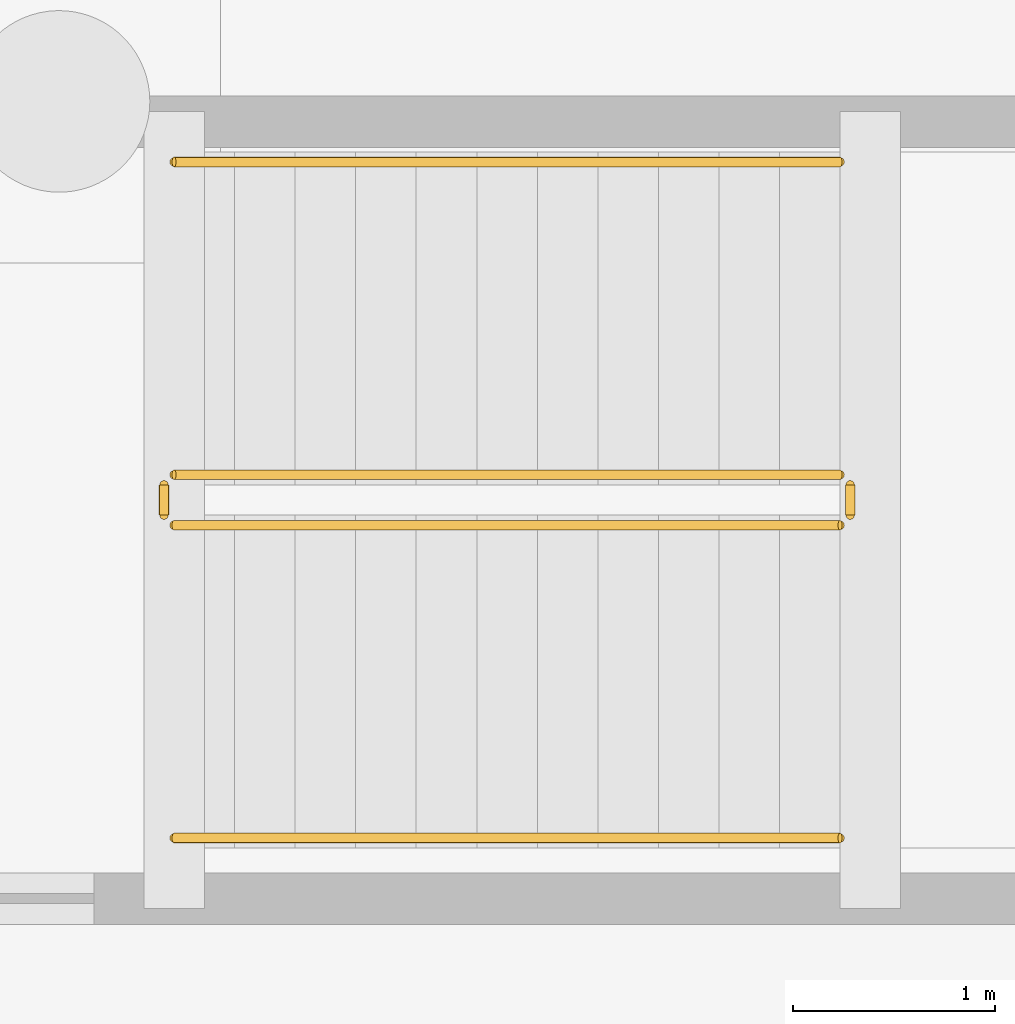
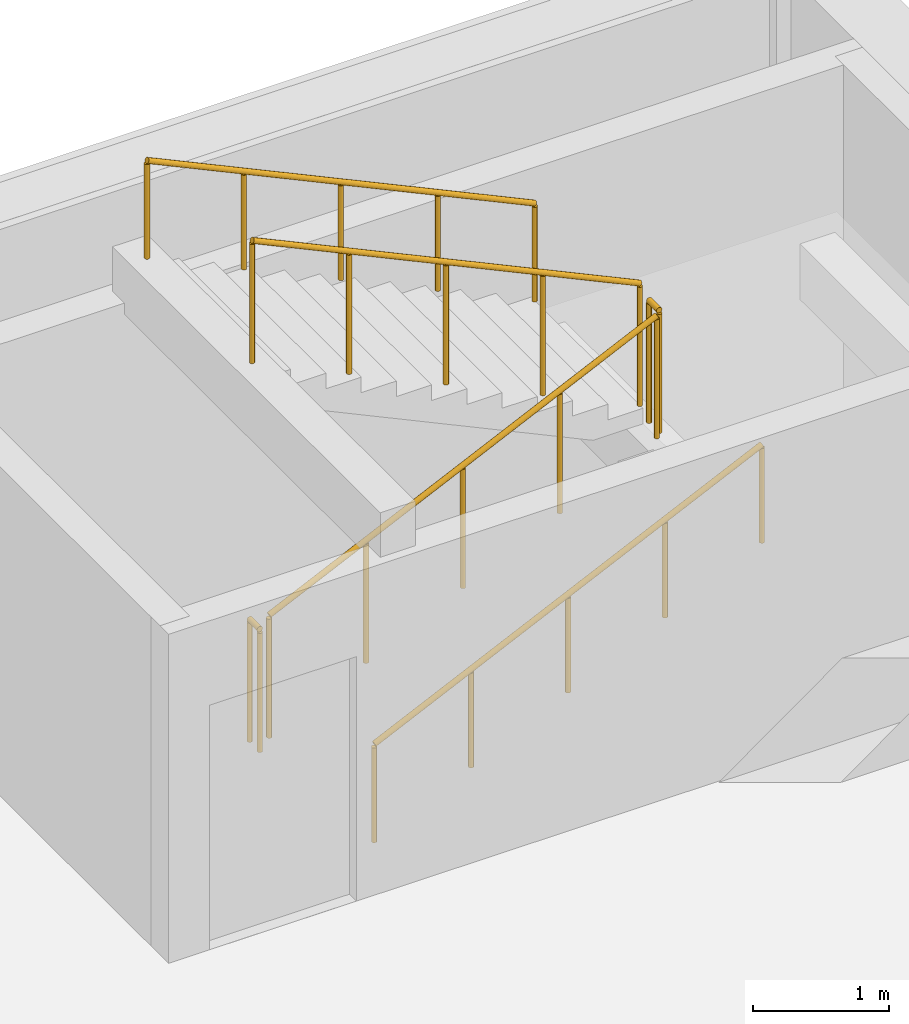
# One storey, part 69 of 70: 6 railings.
"""IFC4 building model written with IfcOpenShell, lengths in metres."""

from ifc_helpers import new_model, si_unit, direction, frame, origin, origin_2d, place, context, subcontext, project, spatial, circle, extrude, material, type_object, element, save


model = new_model("IFC4")

# Units and contexts
model_context = context("Model", 3, precision=1e-05, world=origin(), true_north=direction((0.0, 1.0)))
body_context = subcontext(model_context, "Body", "Model", "MODEL_VIEW")
ifc_project = project(units=[si_unit("LENGTHUNIT", "METRE"), si_unit("AREAUNIT", "SQUARE_METRE"), si_unit("VOLUMEUNIT", "CUBIC_METRE"), si_unit("PLANEANGLEUNIT", "RADIAN"), si_unit("MASSUNIT", "GRAM", prefix="KILO")], contexts=[model_context])

# Site, building, storey
site_placement = place(None, origin())
site = spatial("IfcSite", under=ifc_project, at=site_placement, CompositionType="ELEMENT")
building_placement = place(site_placement, origin())
building = spatial("IfcBuilding", under=site, at=building_placement, Name="Cumbredor Promenade Congress Hotel", CompositionType="ELEMENT")
storey_placement = place(building_placement, frame((0.0, 0.0, -7.56005859375)))
storey = spatial("IfcBuildingStorey", under=building, at=storey_placement, Name="B02", CompositionType="ELEMENT", Elevation=-7.56005859375)

# Railings
ifc_material = material(Name="Brushed stainless steel", Category="steel")
railing_type_1 = type_object("IfcRailingType", Name="Interior Void & Stair Guardrail GR-1100", PredefinedType="GUARDRAIL", material=ifc_material)
railing_1_placement = place(storey_placement, frame((169.919921875, 114.14990234375, 0.14013671875)))
element("IfcRailing", 1, at=railing_1_placement, inside=storey, type_object=railing_type_1, Name="B02 ST-16 stair guard 1", PredefinedType="GUARDRAIL", context=body_context, shape_type="SweptSolid", body=[
    extrude(circle(Radius=0.02392578125, at=origin_2d()), frame((0.0, 0.0, 1.09619140625), z_axis=(0.906181427284, 0.0, 0.422889135408), x_axis=(0.0, 1.0, 0.0)), (0.0, 0.0, 1.0), 3.6416015625),
    extrude(circle(Radius=0.02099609375, at=origin_2d()), origin(), (0.0, 0.0, 1.0), 1.072021484375),
    extrude(circle(Radius=0.02099609375, at=origin_2d()), frame((0.824951171875, 0.0, 0.385009765625)), (0.0, 0.0, 1.0), 1.072021484375),
    extrude(circle(Radius=0.02099609375, at=origin_2d()), frame((1.64990234375, 0.0, 0.77001953125)), (0.0, 0.0, 1.0), 1.072021484375),
    extrude(circle(Radius=0.02099609375, at=origin_2d()), frame((2.47509765625, 0.0, 1.155029296875)), (0.0, 0.0, 1.0), 1.072021484375),
    extrude(circle(Radius=0.02099609375, at=origin_2d()), frame((3.300048828125, 0.0, 1.5400390625)), (0.0, 0.0, 1.0), 1.072021484375),
])
railing_2_placement = place(storey_placement, frame((173.27001953125, 114.199951171875, 1.68017578125)))
element("IfcRailing", 2, at=railing_2_placement, inside=storey, type_object=railing_type_1, Name="B02 ST-16 stair guard 2", PredefinedType="GUARDRAIL", context=body_context, shape_type="SweptSolid", body=[
    extrude(circle(Radius=0.02392578125, at=origin_2d()), frame((0.0, 0.0, 1.09619140625), z_axis=(0.0, 1.0, 0.0), x_axis=(-1.0, 0.0, 0.0)), (0.0, 0.0, 1.0), 0.150146484375),
    extrude(circle(Radius=0.02099609375, at=origin_2d()), origin(), (0.0, 0.0, 1.0), 1.072021484375),
    extrude(circle(Radius=0.02099609375, at=origin_2d()), frame((0.0, 0.150146484375, 0.0)), (0.0, 0.0, 1.0), 1.072021484375),
])
railing_3_placement = place(storey_placement, frame((173.219970703125, 114.39990234375, 1.820068359375)))
element("IfcRailing", 3, at=railing_3_placement, inside=storey, type_object=railing_type_1, Name="B02 ST-16 stair guard 3", PredefinedType="GUARDRAIL", context=body_context, shape_type="SweptSolid", body=[
    extrude(circle(Radius=0.02392578125, at=origin_2d()), frame((0.0, 0.0, 1.09619140625), z_axis=(-0.906181427284, 0.0, 0.422889135408), x_axis=(0.0, -1.0, 0.0)), (0.0, 0.0, 1.0), 3.6416015625),
    extrude(circle(Radius=0.02099609375, at=origin_2d()), origin(), (0.0, 0.0, 1.0), 1.072021484375),
    extrude(circle(Radius=0.02099609375, at=origin_2d()), frame((-0.824951171875, 0.0, 0.385009765625)), (0.0, 0.0, 1.0), 1.072021484375),
    extrude(circle(Radius=0.02099609375, at=origin_2d()), frame((-1.64990234375, 0.0, 0.77001953125)), (0.0, 0.0, 1.0), 1.072021484375),
    extrude(circle(Radius=0.02099609375, at=origin_2d()), frame((-2.47509765625, 0.0, 1.155029296875)), (0.0, 0.0, 1.0), 1.072021484375),
    extrude(circle(Radius=0.02099609375, at=origin_2d()), frame((-3.300048828125, 0.0, 1.5400390625)), (0.0, 0.0, 1.0), 1.072021484375),
])
railing_4_placement = place(storey_placement, frame((169.8701171875, 114.199951171875, 0.0)))
element("IfcRailing", 4, at=railing_4_placement, inside=storey, type_object=railing_type_1, Name="B02 ST-16 stair guard 4", PredefinedType="GUARDRAIL", context=body_context, shape_type="SweptSolid", body=[
    extrude(circle(Radius=0.02392578125, at=origin_2d()), frame((0.0, 0.0, 1.09619140625), z_axis=(0.0, 1.0, 0.0), x_axis=(-1.0, 0.0, 0.0)), (0.0, 0.0, 1.0), 0.150146484375),
    extrude(circle(Radius=0.02099609375, at=origin_2d()), origin(), (0.0, 0.0, 1.0), 1.072021484375),
    extrude(circle(Radius=0.02099609375, at=origin_2d()), frame((0.0, 0.150146484375, 0.0)), (0.0, 0.0, 1.0), 1.072021484375),
])
railing_type_2 = type_object("IfcRailingType", Name="Stair Pitch Handrail HR-900", PredefinedType="HANDRAIL", material=ifc_material)
railing_5_placement = place(storey_placement, frame((169.919921875, 112.60009765625, 0.14013671875)))
element("IfcRailing", 5, at=railing_5_placement, inside=storey, type_object=railing_type_2, Name="B02 ST-16 stair handrail 1", PredefinedType="HANDRAIL", context=body_context, shape_type="SweptSolid", body=[
    extrude(circle(Radius=0.02392578125, at=origin_2d()), frame((0.0, 0.0, 0.8759765625), z_axis=(0.906181427284, 0.0, 0.422889135408), x_axis=(0.0, 1.0, 0.0)), (0.0, 0.0, 1.0), 3.6416015625),
    extrude(circle(Radius=0.02099609375, at=origin_2d()), origin(), (0.0, 0.0, 1.0), 0.851806640625),
    extrude(circle(Radius=0.02099609375, at=origin_2d()), frame((0.824951171875, 0.0, 0.385009765625)), (0.0, 0.0, 1.0), 0.851806640625),
    extrude(circle(Radius=0.02099609375, at=origin_2d()), frame((1.64990234375, 0.0, 0.77001953125)), (0.0, 0.0, 1.0), 0.851806640625),
    extrude(circle(Radius=0.02099609375, at=origin_2d()), frame((2.47509765625, 0.0, 1.155029296875)), (0.0, 0.0, 1.0), 0.851806640625),
    extrude(circle(Radius=0.02099609375, at=origin_2d()), frame((3.300048828125, 0.0, 1.5400390625)), (0.0, 0.0, 1.0), 0.851806640625),
])
railing_6_placement = place(storey_placement, frame((173.219970703125, 115.949951171875, 1.820068359375)))
element("IfcRailing", 6, at=railing_6_placement, inside=storey, type_object=railing_type_2, Name="B02 ST-16 stair handrail 2", PredefinedType="HANDRAIL", context=body_context, shape_type="SweptSolid", body=[
    extrude(circle(Radius=0.02392578125, at=origin_2d()), frame((0.0, 0.0, 0.8759765625), z_axis=(-0.906181427284, 0.0, 0.422889135408), x_axis=(0.0, -1.0, 0.0)), (0.0, 0.0, 1.0), 3.6416015625),
    extrude(circle(Radius=0.02099609375, at=origin_2d()), origin(), (0.0, 0.0, 1.0), 0.851806640625),
    extrude(circle(Radius=0.02099609375, at=origin_2d()), frame((-0.824951171875, 0.0, 0.385009765625)), (0.0, 0.0, 1.0), 0.851806640625),
    extrude(circle(Radius=0.02099609375, at=origin_2d()), frame((-1.64990234375, 0.0, 0.77001953125)), (0.0, 0.0, 1.0), 0.851806640625),
    extrude(circle(Radius=0.02099609375, at=origin_2d()), frame((-2.47509765625, 0.0, 1.155029296875)), (0.0, 0.0, 1.0), 0.851806640625),
    extrude(circle(Radius=0.02099609375, at=origin_2d()), frame((-3.300048828125, 0.0, 1.5400390625)), (0.0, 0.0, 1.0), 0.851806640625),
])

save(model, "model.ifc")
